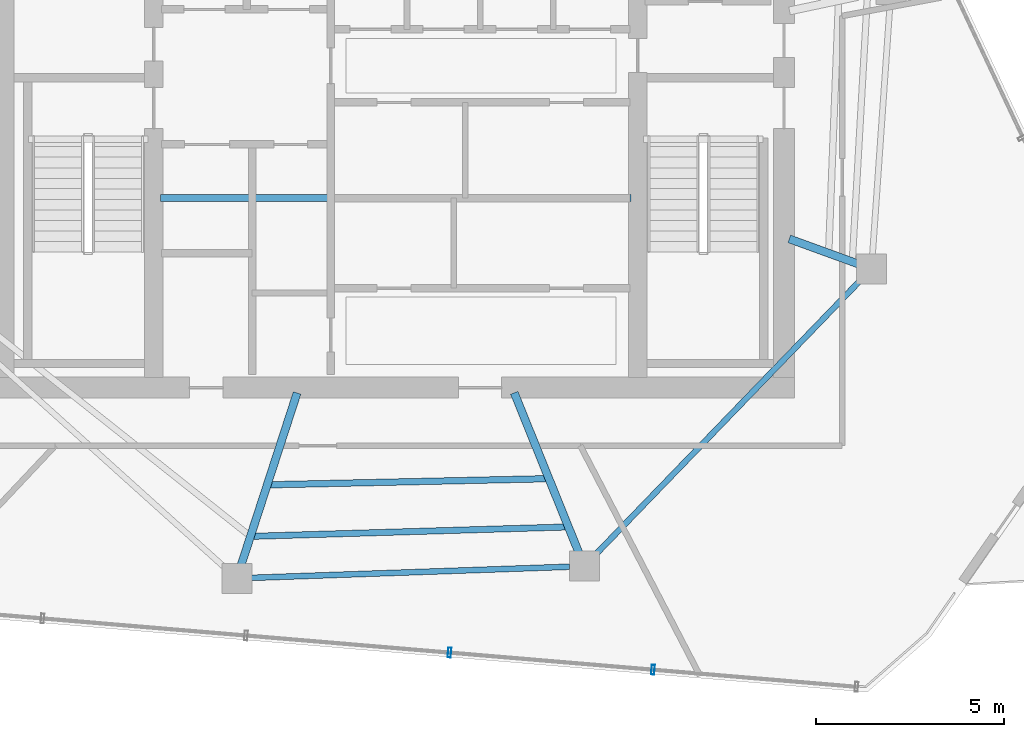
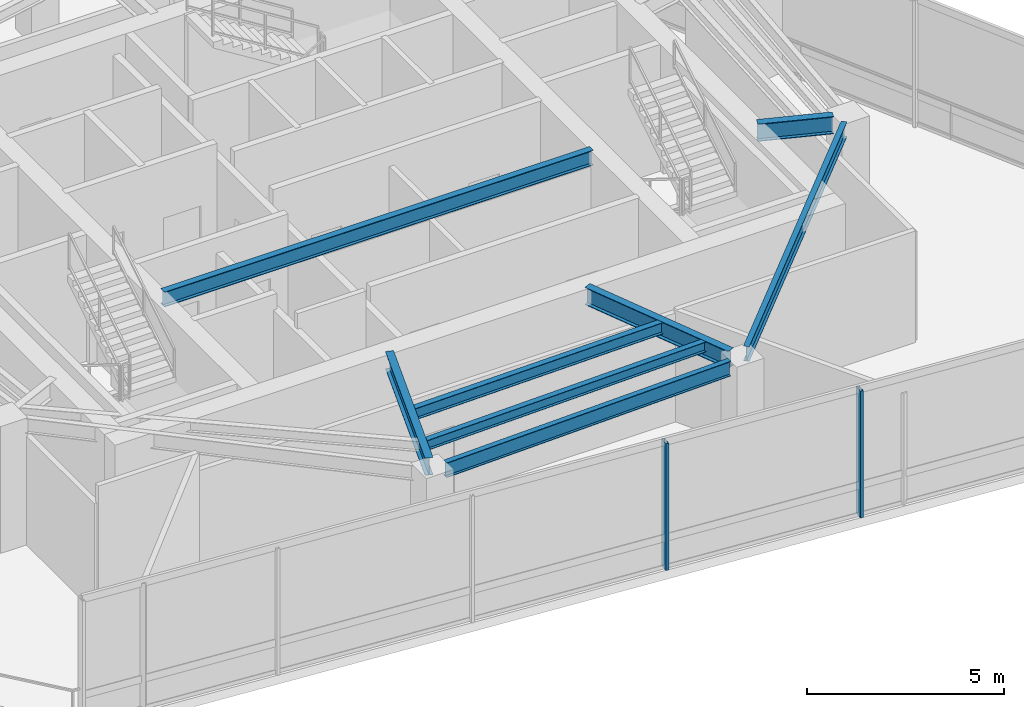
# One storey, part 4 of 19: 8 beams, 2 members, 1 element without a shape of its own.
"""IFC4 building model written with IfcOpenShell, lengths in metres."""

from ifc_helpers import new_model, si_unit, direction, frame, origin, origin_2d, place, context, subcontext, project, spatial, hollow_rectangle, i_section, extrude, material, layer, layer_set, material_profile, profile_set, type_object, element, aggregate, save


model = new_model("IFC4")

# Units and contexts
model_context = context("Model", 3, precision=1e-05, world=origin(), true_north=direction((0.0, 1.0)))
body_context = subcontext(model_context, "Body", "Model", "MODEL_VIEW")
ifc_project = project(units=[si_unit("LENGTHUNIT", "METRE"), si_unit("AREAUNIT", "SQUARE_METRE"), si_unit("VOLUMEUNIT", "CUBIC_METRE"), si_unit("PLANEANGLEUNIT", "RADIAN"), si_unit("MASSUNIT", "GRAM", prefix="KILO")], contexts=[model_context])

# Site, building, storey
site_placement = place(None, origin())
site = spatial("IfcSite", under=ifc_project, at=site_placement, CompositionType="ELEMENT")
building_placement = place(site_placement, origin())
building = spatial("IfcBuilding", under=site, at=building_placement, Name="Qarnah Convention Tower", CompositionType="ELEMENT")
storey_placement = place(building_placement, frame((0.0, 0.0, 275.10009765625)))
storey = spatial("IfcBuildingStorey", under=building, at=storey_placement, Name="L74", CompositionType="ELEMENT", Elevation=275.10009765625)

# Beams
ifc_material_1 = material(Name="Structural steel S355JR", Category="steel")
ifc_material_profile_1 = material_profile(ifc_material_1, i_section(OverallWidth=0.19189453125, OverallDepth=0.464111328125, WebThickness=0.010986328125, FlangeThickness=0.01806640625, at=origin_2d()), Name="W460X89")
ifc_profile_set_1 = profile_set([ifc_material_profile_1], Name="Structural steel S355JR")
beam_type_1 = type_object("IfcBeamType", Name="BM-CANT-W460A", PredefinedType="BEAM", material=ifc_profile_set_1)
beam_1_placement = place(storey_placement, frame((30.97998046875, 23.64990234375, 3.68798828125), z_axis=(1.0, 0.0, 0.0), x_axis=(0.0, 1.0, 0.0)))
element("IfcBeam", 1, at=beam_1_placement, inside=storey, type_object=beam_type_1, Name="L74 beam BM-L74-KC1", PredefinedType="BEAM", context=body_context, shape_type="SweptSolid", body=[
    extrude(i_section(OverallWidth=0.19189453125, OverallDepth=0.464111328125, WebThickness=0.010986328125, FlangeThickness=0.01806640625, at=origin_2d()), origin(), (0.0, 0.0, 1.0), 12.5400390625),
])
ifc_material_profile_2 = material_profile(ifc_material_1, i_section(OverallWidth=0.166015625, OverallDepth=0.31201171875, WebThickness=0.007080078125, FlangeThickness=0.010986328125, at=origin_2d()), Name="W310X45")
ifc_profile_set_2 = profile_set([ifc_material_profile_2], Name="Structural steel S355JR")
beam_type_2 = type_object("IfcBeamType", Name="BM-JST-W310", PredefinedType="JOIST", material=ifc_profile_set_2)
beam_2_placement = place(storey_placement, frame((33.467041015625, 14.635009765625, 3.763916015625), z_axis=(0.99955680435, 0.029769025486, 0.0), x_axis=(-0.029769025486, 0.99955680435, 0.0)))
element("IfcBeam", 2, at=beam_2_placement, inside=storey, type_object=beam_type_2, Name="L74 joist BM-L74-SJST-07", PredefinedType="JOIST", context=body_context, shape_type="SweptSolid", body=[
    extrude(i_section(OverallWidth=0.166015625, OverallDepth=0.31201171875, WebThickness=0.007080078125, FlangeThickness=0.010986328125, at=origin_2d()), origin(), (0.0, 0.0, 1.0), 8.299560546875),
])
ifc_material_profile_3 = material_profile(ifc_material_1, i_section(OverallWidth=0.172119140625, OverallDepth=0.35595703125, WebThickness=0.007080078125, FlangeThickness=0.011962890625, at=origin_2d()), Name="W360X51")
ifc_profile_set_3 = profile_set([ifc_material_profile_3], Name="Structural steel S355JR")
beam_type_3 = type_object("IfcBeamType", Name="BM-JST-W360", PredefinedType="JOIST", material=ifc_profile_set_3)
beam_3_placement = place(storey_placement, frame((33.9130859375, 16.008056640625, 3.741943359375), z_axis=(0.999759189308, 0.021944552701, 0.0), x_axis=(-0.021944552701, 0.999759189308, 0.0)))
element("IfcBeam", 3, at=beam_3_placement, inside=storey, type_object=beam_type_3, Name="L74 joist BM-L74-IJST-07", PredefinedType="JOIST", context=body_context, shape_type="SweptSolid", body=[
    extrude(i_section(OverallWidth=0.172119140625, OverallDepth=0.35595703125, WebThickness=0.007080078125, FlangeThickness=0.011962890625, at=origin_2d()), origin(), (0.0, 0.0, 1.0), 7.33154296875),
])
ifc_material_profile_4 = material_profile(ifc_material_1, i_section(OverallWidth=0.2119140625, OverallDepth=0.5400390625, WebThickness=0.011962890625, FlangeThickness=0.01904296875, at=origin_2d()), Name="W530X109")
ifc_profile_set_4 = profile_set([ifc_material_profile_4], Name="Structural steel S355JR")
beam_type_4 = type_object("IfcBeamType", Name="BM-RAD-W530A", PredefinedType="BEAM", material=ifc_profile_set_4)
beam_4_placement = place(storey_placement, frame((34.6201171875, 18.45703125, 3.64990234375), z_axis=(-0.309228111383, -0.950987894313, 0.0), x_axis=(0.950987894313, -0.309228111383, 0.0)))
element("IfcBeam", 4, at=beam_4_placement, inside=storey, type_object=beam_type_4, Name="L74 beam BM-L74-RAD-07", PredefinedType="BEAM", context=body_context, shape_type="SweptSolid", body=[
    extrude(i_section(OverallWidth=0.2119140625, OverallDepth=0.5400390625, WebThickness=0.011962890625, FlangeThickness=0.01904296875, at=origin_2d()), origin(), (0.0, 0.0, 1.0), 4.819091796875),
])
beam_5_placement = place(storey_placement, frame((40.407958984375, 18.4609375, 3.64990234375), z_axis=(0.374622495532, -0.927177429536, 0.0), x_axis=(0.927177429536, 0.374622495532, 0.0)))
element("IfcBeam", 5, at=beam_5_placement, inside=storey, type_object=beam_type_4, Name="L74 beam BM-L74-RAD-08", PredefinedType="BEAM", context=body_context, shape_type="SweptSolid", body=[
    extrude(i_section(OverallWidth=0.2119140625, OverallDepth=0.5400390625, WebThickness=0.011962890625, FlangeThickness=0.01904296875, at=origin_2d()), origin(), (0.0, 0.0, 1.0), 4.607421875),
])
beam_6_placement = place(storey_placement, frame((47.740966796875, 22.56396484375, 3.64990234375), z_axis=(0.93967655832, -0.342064271363, 0.0), x_axis=(0.342064271363, 0.93967655832, 0.0)))
element("IfcBeam", 6, at=beam_6_placement, inside=storey, type_object=beam_type_4, Name="L74 beam BM-L74-RAD-09", PredefinedType="BEAM", context=body_context, shape_type="SweptSolid", body=[
    extrude(i_section(OverallWidth=0.2119140625, OverallDepth=0.5400390625, WebThickness=0.011962890625, FlangeThickness=0.01904296875, at=origin_2d()), origin(), (0.0, 0.0, 1.0), 1.95263671875),
])
ifc_material_profile_5 = material_profile(ifc_material_1, i_section(OverallWidth=0.154052734375, OverallDepth=0.4599609375, WebThickness=0.009033203125, FlangeThickness=0.014892578125, at=origin_2d()), Name="W460X68")
ifc_profile_set_5 = profile_set([ifc_material_profile_5], Name="Structural steel S355JR")
beam_type_5 = type_object("IfcBeamType", Name="BM-SPN-W460B", PredefinedType="SPANDREL", material=ifc_profile_set_5)
beam_7_placement = place(storey_placement, frame((33.403076171875, 13.527099609375, 3.68994140625), z_axis=(0.999392187652, 0.034860511467, 0.0), x_axis=(-0.034860511467, 0.999392187652, 0.0)))
element("IfcBeam", 7, at=beam_7_placement, inside=storey, type_object=beam_type_5, Name="L74 spandrel BM-L74-SPN-07", PredefinedType="SPANDREL", context=body_context, shape_type="SweptSolid", body=[
    extrude(i_section(OverallWidth=0.154052734375, OverallDepth=0.4599609375, WebThickness=0.009033203125, FlangeThickness=0.014892578125, at=origin_2d()), origin(), (0.0, 0.0, 1.0), 8.488037109375),
])
beam_8_placement = place(storey_placement, frame((42.547119140625, 14.117919921875, 3.68994140625), z_axis=(0.694687671008, 0.719311503974, 0.0), x_axis=(-0.719311503974, 0.694687671008, 0.0)))
element("IfcBeam", 8, at=beam_8_placement, inside=storey, type_object=beam_type_5, Name="L74 spandrel BM-L74-SPN-08", PredefinedType="SPANDREL", context=body_context, shape_type="SweptSolid", body=[
    extrude(i_section(OverallWidth=0.154052734375, OverallDepth=0.4599609375, WebThickness=0.009033203125, FlangeThickness=0.014892578125, at=origin_2d()), origin(), (0.0, 0.0, 1.0), 10.241943359375),
])

# Curtain wall, members
ifc_material_2 = material(Name="Tempered Low-E dark glass", Category="glass")
ifc_layer = layer(ifc_material_2, 0.177978515625)
ifc_layer_set = layer_set([ifc_layer], Name="Tempered Low-E dark glass")
curtain_wall_type = type_object("IfcCurtainWallType", Name="CWS-06", PredefinedType="NOTDEFINED", material=ifc_layer_set)
curtain_wall_placement = place(storey_placement, origin())
curtain_wall = element("IfcCurtainWall", 9, at=curtain_wall_placement, inside=storey, type_object=curtain_wall_type, Name="L74 unitised curtain wall CW-L74-F2", PredefinedType="NOTDEFINED")
ifc_material_3 = material(Name="Black anodised aluminium", Category="aluminium")
ifc_material_profile_6 = material_profile(ifc_material_3, hollow_rectangle(XDim=0.0849609375, YDim=0.260009765625, WallThickness=0.006103515625, at=origin_2d()), Name="MUL-85X260")
ifc_profile_set_6 = profile_set([ifc_material_profile_6], Name="Black anodised aluminium")
member_type = type_object("IfcMemberType", Name="MUL-T6", PredefinedType="MULLION", material=ifc_profile_set_6)
member_1_placement = place(storey_placement, frame((44.108154296875, 11.078369140625, 0.0), z_axis=(0.0, 0.0, 1.0), x_axis=(-0.996494899207, 0.08365354657, 0.0)))
member_1 = element("IfcMember", 10, at=member_1_placement, type_object=member_type, Name="CW-L74-F2 mullion 2", PredefinedType="MULLION", context=body_context, shape_type="SweptSolid", body=[
    extrude(hollow_rectangle(XDim=0.0849609375, YDim=0.260009765625, WallThickness=0.006103515625, at=origin_2d()), origin(), (0.0, 0.0, 1.0), 3.919921875),
])
member_2_placement = place(storey_placement, frame((38.683349609375, 11.53369140625, 0.0), z_axis=(0.0, 0.0, 1.0), x_axis=(-0.996494899207, 0.08365354657, 0.0)))
member_2 = element("IfcMember", 11, at=member_2_placement, type_object=member_type, Name="CW-L74-F2 mullion 3", PredefinedType="MULLION", context=body_context, shape_type="SweptSolid", body=[
    extrude(hollow_rectangle(XDim=0.0849609375, YDim=0.260009765625, WallThickness=0.006103515625, at=origin_2d()), origin(), (0.0, 0.0, 1.0), 3.919921875),
])
aggregate(curtain_wall, [member_1, member_2])

save(model, "model.ifc")
